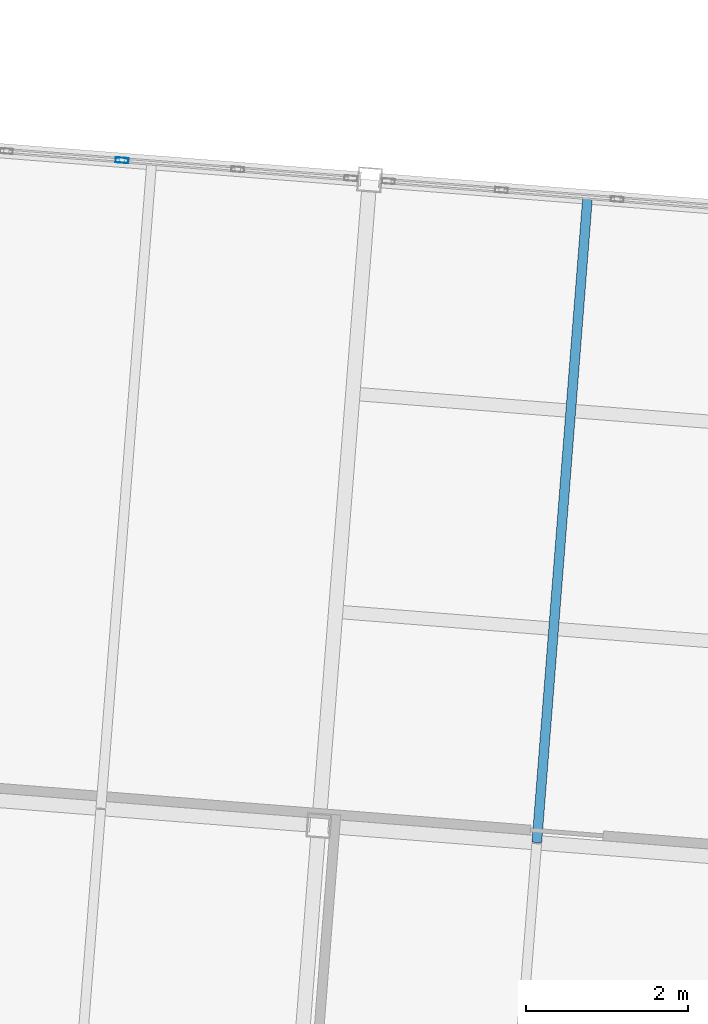
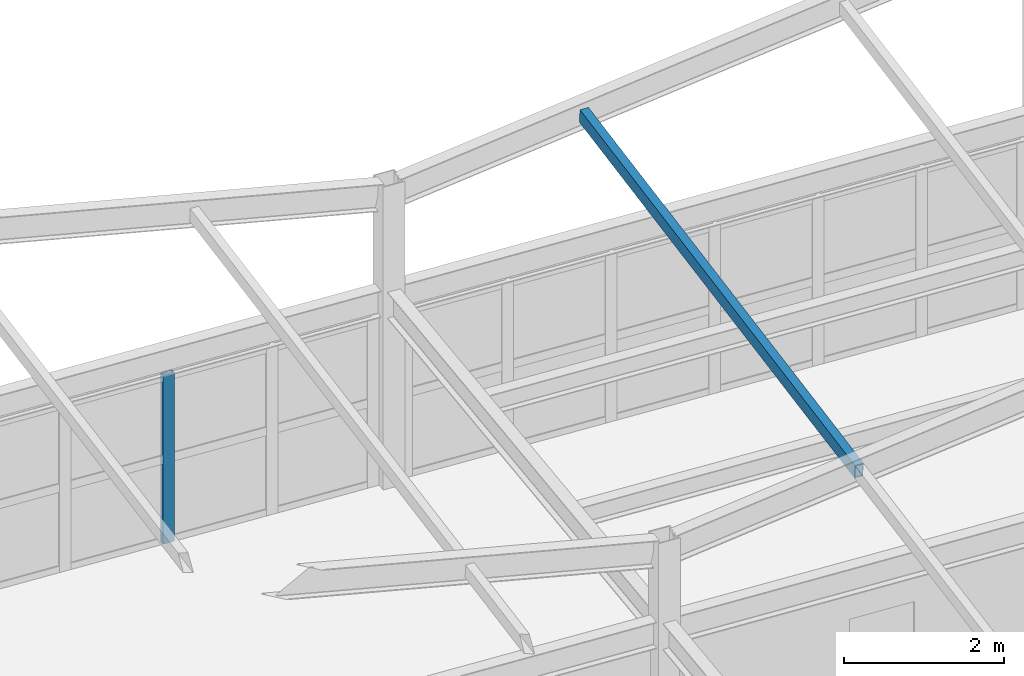
# One storey, part 47 of 127: 2 members, 1 element without a shape of its own.
"""IFC4 building model written with IfcOpenShell, lengths in metres."""

from ifc_helpers import new_model, si_unit, direction, frame, origin, origin_2d, place, context, subcontext, project, spatial, hollow_rectangle, extrude, material, material_profile, profile_set, type_object, element, aggregate, save


model = new_model("IFC4")

# Units and contexts
model_context = context("Model", 3, precision=1e-05, world=origin(), true_north=direction((0.0, 1.0)))
body_context = subcontext(model_context, "Body", "Model", "MODEL_VIEW")
ifc_project = project(units=[si_unit("LENGTHUNIT", "METRE"), si_unit("AREAUNIT", "SQUARE_METRE"), si_unit("VOLUMEUNIT", "CUBIC_METRE"), si_unit("PLANEANGLEUNIT", "RADIAN"), si_unit("MASSUNIT", "GRAM", prefix="KILO")], contexts=[model_context])

# Site, building, storey
site_placement = place(None, origin())
site = spatial("IfcSite", under=ifc_project, at=site_placement, CompositionType="ELEMENT")
building_placement = place(site_placement, origin())
building = spatial("IfcBuilding", under=site, at=building_placement, Name="Kestramere Prow Commons", CompositionType="ELEMENT")
storey_placement = place(building_placement, frame((0.0, 0.0, 8.39990234375)))
storey = spatial("IfcBuildingStorey", under=building, at=storey_placement, Name="L02", CompositionType="ELEMENT", Elevation=8.39990234375)

# Curtain wall, member
ifc_material_1 = material(Name="Anodised Aluminium and Low-E Glass", Category="aluminium")
curtain_wall_type = type_object("IfcCurtainWallType", Name="CW-17 Glazed Curtain Wall 8600x2580", PredefinedType="USERDEFINED", material=ifc_material_1)
curtain_wall_placement = place(storey_placement, origin())
curtain_wall = element("IfcCurtainWall", 1, at=curtain_wall_placement, inside=storey, type_object=curtain_wall_type, Name="Nursery L02 North Garden Glazing 1", ObjectType="GLAZED CURTAIN WALL", PredefinedType="USERDEFINED")
ifc_material_2 = material(Name="Anodised Aluminium 6063-T6", Category="aluminium")
ifc_material_profile_1 = material_profile(ifc_material_2, hollow_rectangle(XDim=0.06494140625, YDim=0.159912109375, WallThickness=0.00390625, at=origin_2d()), Name="ALU-MUL 65x160")
ifc_profile_set_1 = profile_set([ifc_material_profile_1], Name="Anodised Aluminium 6063-T6")
member_type_1 = type_object("IfcMemberType", Name="CW-MUL-65x160", PredefinedType="MULLION", material=ifc_profile_set_1)
member_1_placement = place(storey_placement, frame((76.39794921875, 108.96044921875, 0.0), z_axis=(0.0, 0.0, 1.0), x_axis=(0.078459070568, 0.996917335713, 0.0)))
member_1 = element("IfcMember", 2, at=member_1_placement, type_object=member_type_1, Name="CW-17 mullion 5", PredefinedType="MULLION", context=body_context, shape_type="SweptSolid", body=[
    extrude(hollow_rectangle(XDim=0.06494140625, YDim=0.159912109375, WallThickness=0.00390625, at=origin_2d()), origin(), (0.0, 0.0, 1.0), 2.580078125),
])
aggregate(curtain_wall, [member_1])

# Member
ifc_material_3 = material(Name="Steel S355JR", Category="steel")
ifc_material_profile_2 = material_profile(ifc_material_3, hollow_rectangle(XDim=0.1201171875, YDim=0.199951171875, WallThickness=0.008056640625, at=origin_2d()), Name="RHS 200x120x8")
ifc_profile_set_2 = profile_set([ifc_material_profile_2], Name="Steel S355JR")
member_type_2 = type_object("IfcMemberType", Name="PUR-NR-01 RHS 200x120x8", PredefinedType="PURLIN", material=ifc_profile_set_2)
member_2_placement = place(storey_placement, frame((81.52001953125, 100.540771484375, 4.39404296875), z_axis=(0.078346275362, 0.995776578193, 0.047863007209), x_axis=(-0.996919137737, 0.078436170311, 0.0)))
element("IfcMember", 3, at=member_2_placement, inside=storey, type_object=member_type_2, Name="Nursery Roof Purlin 2-3-3", PredefinedType="PURLIN", context=body_context, shape_type="SweptSolid", body=[
    extrude(hollow_rectangle(XDim=0.1201171875, YDim=0.199951171875, WallThickness=0.008056640625, at=origin_2d()), origin(), (0.0, 0.0, 1.0), 7.992919921875),
])

save(model, "model.ifc")
